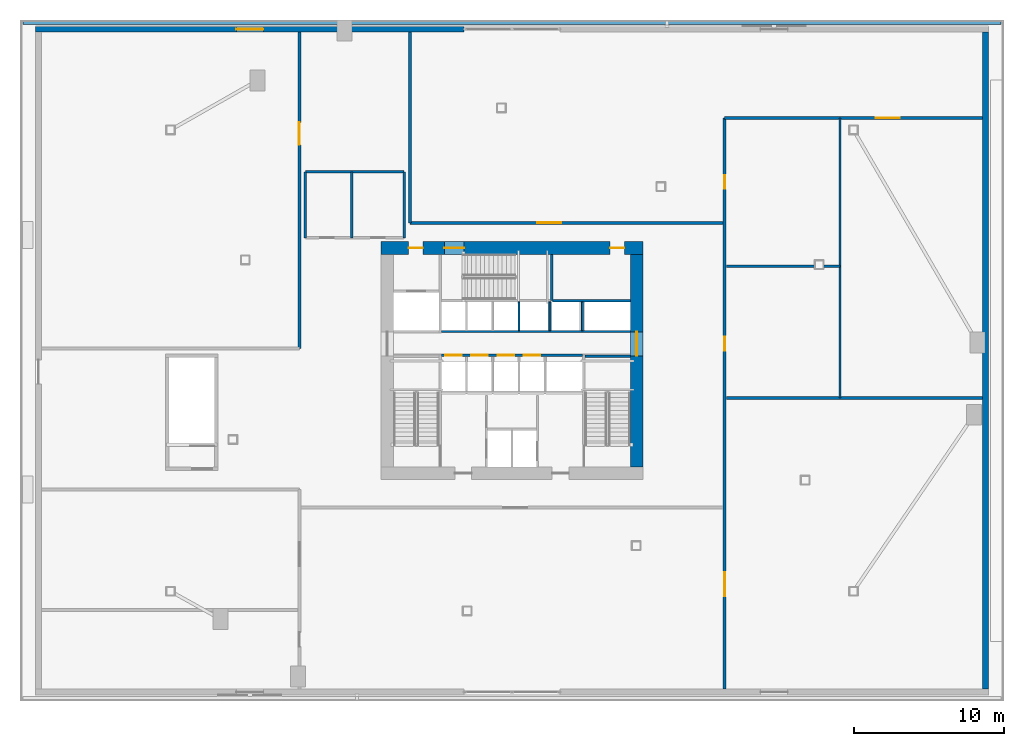
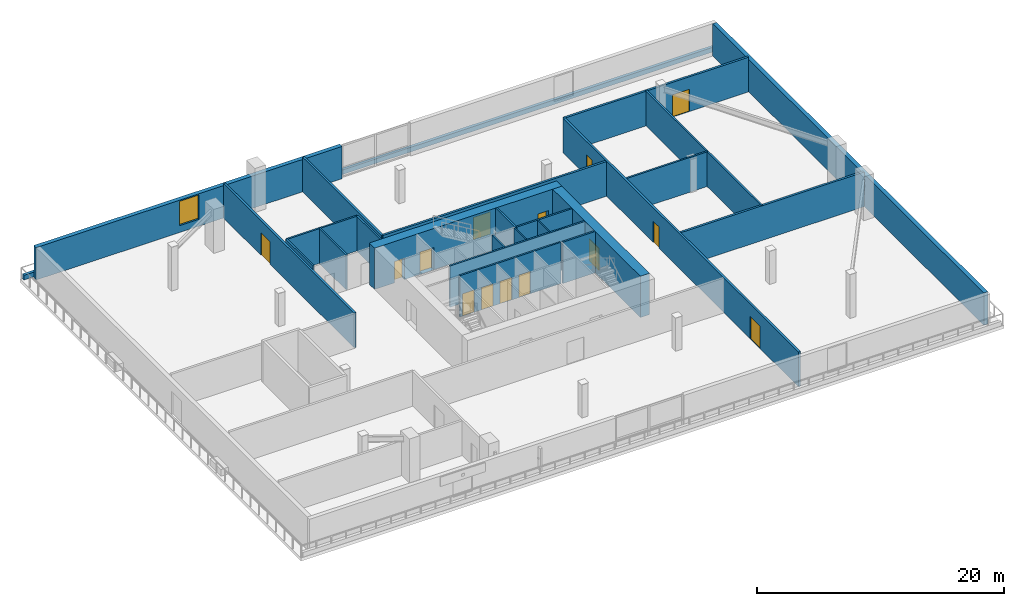
# One storey, part 9 of 16: 25 walls, 14 doors, 1 window, 15 openings.
"""IFC4 building model written with IfcOpenShell, lengths in metres."""

from ifc_helpers import new_model, si_unit, direction, frame, frame_2d, origin, place, context, subcontext, project, spatial, rectangle, extrude, source, transform, mapped, material, layer, layer_set, type_object, type_shapes, element, fill, save


model = new_model("IFC4")

# Units and contexts
model_context = context("Model", 3, precision=1e-05, world=origin(), true_north=direction((0.0, 1.0)))
body_context = subcontext(model_context, "Body", "Model", "MODEL_VIEW")
ifc_project = project(units=[si_unit("LENGTHUNIT", "METRE"), si_unit("AREAUNIT", "SQUARE_METRE"), si_unit("VOLUMEUNIT", "CUBIC_METRE"), si_unit("PLANEANGLEUNIT", "RADIAN"), si_unit("MASSUNIT", "GRAM", prefix="KILO")], contexts=[model_context])

# Site, building, storey
site_placement = place(None, origin())
site = spatial("IfcSite", under=ifc_project, at=site_placement, CompositionType="ELEMENT")
building_placement = place(site_placement, origin())
building = spatial("IfcBuilding", under=site, at=building_placement, Name="Olszyna Solenne Hotel", CompositionType="ELEMENT")
storey_placement = place(building_placement, frame((0.0, 0.0, 20.10009765625)))
storey = spatial("IfcBuildingStorey", under=building, at=storey_placement, Name="L04", CompositionType="ELEMENT", Elevation=20.10009765625)

# Wall, openings, doors
ifc_material_1 = material(Name="Concrete C60/75", Category="concrete")
ifc_layer_1 = layer(ifc_material_1, 0.85009765625, Name="Concrete C60/75")
ifc_layer_set_1 = layer_set([ifc_layer_1], Name="Concrete C60/75")
wall_type_1 = type_object("IfcWallType", Name="WL-CR850", PredefinedType="SHEAR", material=ifc_layer_set_1)
wall_1_placement = place(storey_placement, frame((29.25, 34.125, 0.0), z_axis=(0.0, 0.0, 1.0), x_axis=(1.0, 0.0, 0.0)))
wall_1 = element("IfcWall", 1, at=wall_1_placement, inside=storey, type_object=wall_type_1, Name="Core shear wall WL-CR850 CRW-L04-N", PredefinedType="SHEAR", context=body_context, shape_type="SweptSolid", body=[
    extrude(rectangle(XDim=17.5, YDim=0.85009765625, at=frame_2d((8.75, 0.0))), origin(), (0.0, 0.0, 1.0), 4.079833984375),
])
opening_1_placement = place(wall_1_placement, frame((1.85009765625, 0.0, 0.0)))
opening_1 = element("IfcOpeningElement", 2, at=opening_1_placement, cuts=wall_1, Name="Opening SVD-L04-01", PredefinedType="OPENING", context=body_context, shape_type="SweptSolid", body=[
    extrude(rectangle(XDim=0.949951171875, YDim=2.10009765625, at=frame_2d((0.47509765625, 1.050048828125))), frame((0.0, 0.43505859375, 0.0), z_axis=(0.0, -1.0, 0.0), x_axis=(1.0, 0.0, 0.0)), (0.0, 0.0, 1.0), 0.8701171875),
])
opening_2_placement = place(wall_1_placement, frame((4.22998046875, 0.0, 0.0)))
opening_2 = element("IfcOpeningElement", 3, at=opening_2_placement, cuts=wall_1, Name="Opening STD-L04-03", PredefinedType="OPENING", context=body_context, shape_type="SweptSolid", body=[
    extrude(rectangle(XDim=1.320068359375, YDim=2.199951171875, at=frame_2d((0.66015625, 1.10009765625))), frame((0.0, 0.43505859375, 0.0), z_axis=(0.0, -1.0, 0.0), x_axis=(1.0, 0.0, 0.0)), (0.0, 0.0, 1.0), 0.8701171875),
])
opening_3_placement = place(wall_1_placement, frame((15.300048828125, 0.0, 0.0)))
opening_3 = element("IfcOpeningElement", 4, at=opening_3_placement, cuts=wall_1, Name="Opening SVD-L04-BN", PredefinedType="OPENING", context=body_context, shape_type="SweptSolid", body=[
    extrude(rectangle(XDim=0.949951171875, YDim=2.10009765625, at=frame_2d((0.47509765625, 1.050048828125))), frame((0.0, 0.43505859375, 0.0), z_axis=(0.0, -1.0, 0.0), x_axis=(1.0, 0.0, 0.0)), (0.0, 0.0, 1.0), 0.8701171875),
])
ifc_material_2 = material(Name="Steel S355J2", Category="steel")
door_type_1 = type_object("IfcDoorType", Name="DR-ST1", OperationType="NOTDEFINED", PredefinedType="DOOR", material=ifc_material_2)
shared_shape_1 = source(origin(), body_context, "Body", "SweptSolid", [
    extrude(rectangle(XDim=1.320068359375, YDim=2.199951171875, at=frame_2d((0.66015625, 1.10009765625))), frame((0.0, 0.02490234375, 0.0), z_axis=(0.0, -1.0, 0.0), x_axis=(1.0, 0.0, 0.0)), (0.0, 0.0, 1.0), 0.050048828125),
])
type_shapes(door_type_1, [shared_shape_1])
door_1_placement = place(opening_2_placement, origin())
door_1 = element("IfcDoor", 5, at=door_1_placement, inside=storey, type_object=door_type_1, Name="Pressurised exit stair ST3 fire door STD-L04-03", OperationType="SINGLE_SWING_RIGHT", OverallHeight=2.199951171875, OverallWidth=1.320068359375, PredefinedType="DOOR", context=body_context, shape_type="MappedRepresentation", body=[
    mapped(shared_shape_1, transform((0.0, 0.0, 0.0), x_axis=(1.0, 0.0, 0.0), y_axis=(0.0, 1.0, 0.0), z_axis=(0.0, 0.0, 1.0), scale=1.0)),
])
fill(opening_2, door_1)
door_type_2 = type_object("IfcDoorType", Name="DR-SV1", OperationType="NOTDEFINED", PredefinedType="DOOR", material=ifc_material_2)
shared_shape_2 = source(origin(), body_context, "Body", "SweptSolid", [
    extrude(rectangle(XDim=0.949951171875, YDim=2.10009765625, at=frame_2d((0.47509765625, 1.050048828125))), frame((0.0, 0.02490234375, 0.0), z_axis=(0.0, -1.0, 0.0), x_axis=(1.0, 0.0, 0.0)), (0.0, 0.0, 1.0), 0.050048828125),
])
type_shapes(door_type_2, [shared_shape_2])
door_2_placement = place(opening_1_placement, origin())
door_2 = element("IfcDoor", 6, at=door_2_placement, inside=storey, type_object=door_type_2, Name="Service lift lobby fire door SVD-L04-01", OperationType="SINGLE_SWING_LEFT", OverallHeight=2.10009765625, OverallWidth=0.949951171875, PredefinedType="DOOR", context=body_context, shape_type="MappedRepresentation", body=[
    mapped(shared_shape_2, transform((0.0, 0.0, 0.0), x_axis=(1.0, 0.0, 0.0), y_axis=(0.0, 1.0, 0.0), z_axis=(0.0, 0.0, 1.0), scale=1.0)),
])
fill(opening_1, door_2)
door_3_placement = place(opening_3_placement, origin())
door_3 = element("IfcDoor", 7, at=door_3_placement, inside=storey, type_object=door_type_2, Name="Housekeeping core fire door SVD-L04-BN", OperationType="SINGLE_SWING_LEFT", OverallHeight=2.10009765625, OverallWidth=0.949951171875, PredefinedType="DOOR", context=body_context, shape_type="MappedRepresentation", body=[
    mapped(shared_shape_2, transform((0.0, 0.0, 0.0), x_axis=(1.0, 0.0, 0.0), y_axis=(0.0, 1.0, 0.0), z_axis=(0.0, 0.0, 1.0), scale=1.0)),
])
fill(opening_3, door_3)

# Wall, opening, door
wall_2_placement = place(storey_placement, frame((46.324951171875, 33.699951171875, 0.0), z_axis=(0.0, 0.0, 1.0), x_axis=(0.0, -1.0, 0.0)))
wall_2 = element("IfcWall", 8, at=wall_2_placement, inside=storey, type_object=wall_type_1, Name="Core shear wall WL-CR850 CRW-L04-E", PredefinedType="SHEAR", context=body_context, shape_type="SweptSolid", body=[
    extrude(rectangle(XDim=14.199951171875, YDim=0.85009765625, at=frame_2d((7.10009765625, 0.0))), origin(), (0.0, 0.0, 1.0), 4.079833984375),
])
opening_4_placement = place(wall_2_placement, frame((5.179931640625, 0.0, 0.0)))
opening_4 = element("IfcOpeningElement", 9, at=opening_4_placement, cuts=wall_2, Name="Opening LHD-L04-E", PredefinedType="OPENING", context=body_context, shape_type="SweptSolid", body=[
    extrude(rectangle(XDim=1.60009765625, YDim=2.199951171875, at=frame_2d((0.800048828125, 1.10009765625))), frame((0.0, 0.43505859375, 0.0), z_axis=(0.0, -1.0, 0.0), x_axis=(1.0, 0.0, 0.0)), (0.0, 0.0, 1.0), 0.8701171875),
])
ifc_material_3 = material(Name="Timber hardwood", Category="wood")
door_type_3 = type_object("IfcDoorType", Name="DR-CR1", OperationType="DOUBLE_DOOR_SINGLE_SWING", PredefinedType="DOOR", material=ifc_material_3)
shared_shape_3 = source(origin(), body_context, "Body", "SweptSolid", [
    extrude(rectangle(XDim=1.60009765625, YDim=2.199951171875, at=frame_2d((0.800048828125, 1.10009765625))), frame((0.0, 0.02490234375, 0.0), z_axis=(0.0, -1.0, 0.0), x_axis=(1.0, 0.0, 0.0)), (0.0, 0.0, 1.0), 0.050048828125),
])
type_shapes(door_type_3, [shared_shape_3])
door_4_placement = place(opening_4_placement, origin())
door_4 = element("IfcDoor", 10, at=door_4_placement, inside=storey, type_object=door_type_3, Name="Passenger lift lobby East fire door LHD-L04-E", OperationType="DOUBLE_DOOR_SINGLE_SWING", OverallHeight=2.199951171875, OverallWidth=1.60009765625, PredefinedType="DOOR", context=body_context, shape_type="MappedRepresentation", body=[
    mapped(shared_shape_3, transform((0.0, 0.0, 0.0), x_axis=(1.0, 0.0, 0.0), y_axis=(0.0, 1.0, 0.0), z_axis=(0.0, 0.0, 1.0), scale=1.0)),
])
fill(opening_4, door_4)

# Wall, opening, window
ifc_material_4 = material(Name="Terracotta cladding on precast concrete C45/55", Category="masonry")
ifc_layer_2 = layer(ifc_material_4, 0.3798828125, Name="Terracotta cladding on precast concrete C45/55")
ifc_layer_set_2 = layer_set([ifc_layer_2], Name="Terracotta cladding on precast concrete C45/55")
wall_type_2 = type_object("IfcWallType", Name="WL-EX380", PredefinedType="SOLIDWALL", material=ifc_layer_set_2)
wall_3_placement = place(storey_placement, frame((6.199951171875, 48.72998046875, 0.0), z_axis=(0.0, 0.0, 1.0), x_axis=(1.0, 0.0, 0.0)))
wall_3 = element("IfcWall", 11, at=wall_3_placement, inside=storey, type_object=wall_type_2, Name="Podium terracotta-precast exterior wall EW-L04-NW", PredefinedType="SOLIDWALL", context=body_context, shape_type="SweptSolid", body=[
    extrude(rectangle(XDim=28.60009765625, YDim=0.3798828125, at=frame_2d((14.300048828125, 0.0))), origin(), (0.0, 0.0, 1.0), 3.199951171875),
])
opening_5_placement = place(wall_3_placement, frame((13.39990234375, 0.0, 0.679931640625)))
opening_5 = element("IfcOpeningElement", 12, at=opening_5_placement, cuts=wall_3, Name="Opening WN-L04-019", PredefinedType="OPENING", context=body_context, shape_type="SweptSolid", body=[
    extrude(rectangle(XDim=1.800048828125, YDim=2.39990234375, at=frame_2d((0.89990234375, 1.199951171875))), frame((0.0, 0.199951171875, 0.0), z_axis=(0.0, -1.0, 0.0), x_axis=(1.0, 0.0, 0.0)), (0.0, 0.0, 1.0), 0.39990234375),
])
ifc_material_5 = material(Name="Low-E triple glazing", Category="glass")
window_type = type_object("IfcWindowType", Name="WN-PD2", PartitioningType="SINGLE_PANEL", PredefinedType="WINDOW", material=ifc_material_5)
shared_shape_4 = source(origin(), body_context, "Body", "SweptSolid", [
    extrude(rectangle(XDim=1.800048828125, YDim=2.39990234375, at=frame_2d((0.89990234375, 1.199951171875))), frame((0.0, 0.030029296875, 0.0), z_axis=(0.0, -1.0, 0.0), x_axis=(1.0, 0.0, 0.0)), (0.0, 0.0, 1.0), 0.06005859375),
])
type_shapes(window_type, [shared_shape_4])
window_placement = place(opening_5_placement, origin())
window = element("IfcWindow", 13, at=window_placement, inside=storey, type_object=window_type, Name="Podium triple-glazed window WN-PD2 WN-L04-019", OverallHeight=2.39990234375, OverallWidth=1.800048828125, PartitioningType="SINGLE_PANEL", PredefinedType="WINDOW", context=body_context, shape_type="MappedRepresentation", body=[
    mapped(shared_shape_4, transform((0.0, 0.0, 0.0), x_axis=(1.0, 0.0, 0.0), y_axis=(0.0, 1.0, 0.0), z_axis=(0.0, 0.0, 1.0), scale=1.0)),
])
fill(opening_5, window)

# Walls
wall_4_placement = place(storey_placement, frame((69.610107421875, 48.5400390625, 0.0), z_axis=(0.0, 0.0, 1.0), x_axis=(0.0, -1.0, 0.0)))
element("IfcWall", 14, at=wall_4_placement, inside=storey, type_object=wall_type_2, Name="Podium terracotta-precast exterior wall EW-L04-E", PredefinedType="SOLIDWALL", context=body_context, shape_type="SweptSolid", body=[
    extrude(rectangle(XDim=43.880126953125, YDim=0.3798828125, at=frame_2d((21.93994140625, 0.0))), origin(), (0.0, 0.0, 1.0), 3.199951171875),
])
ifc_layer_3 = layer(ifc_material_4, 0.280029296875, Name="Terracotta cladding on precast concrete C45/55")
ifc_layer_set_3 = layer_set([ifc_layer_3], Name="Terracotta cladding on precast concrete C45/55")
wall_type_3 = type_object("IfcWallType", Name="WL-PR280", PredefinedType="PARAPET", material=ifc_layer_set_3)
wall_5_placement = place(storey_placement, frame((5.35009765625, 49.179931640625, 0.0), z_axis=(0.0, 0.0, 1.0), x_axis=(1.0, 0.0, 0.0)))
element("IfcWall", 15, at=wall_5_placement, inside=storey, type_object=wall_type_3, Name="Garden terrace parapet upstand PR-L04-N", PredefinedType="PARAPET", context=body_context, shape_type="SweptSolid", body=[
    extrude(rectangle(XDim=65.2998046875, YDim=0.280029296875, at=frame_2d((32.64990234375, 0.0))), origin(), (0.0, 0.0, 1.0), 0.449951171875),
])
ifc_material_6 = material(Name="Acoustic gypsum partition", Category="gypsum")
ifc_layer_4 = layer(ifc_material_6, 0.125, Name="Acoustic gypsum partition")
ifc_layer_set_4 = layer_set([ifc_layer_4], Name="Acoustic gypsum partition")
wall_type_4 = type_object("IfcWallType", Name="WL-PT125", PredefinedType="PARTITIONING", material=ifc_layer_set_4)
for number, where, z_axis, x_axis, name in (
    (16, (38.465087890625, 28.60009765625, 0.0), (0.0, 0.0, 1.0), (0.0, 1.0, 0.0), "Core shaft compartment wall CW-L04-DIVN384"),
    (17, (40.52490234375, 28.60009765625, 0.0), (0.0, 0.0, 1.0), (0.0, 1.0, 0.0), "Core shaft compartment wall CW-L04-DIVEX405"),
    (18, (42.699951171875, 28.60009765625, 0.0), (0.0, 0.0, 1.0), (0.0, 1.0, 0.0), "Core shaft compartment wall CW-L04-DIVEX427"),
):
    element("IfcWall", number, at=place(storey_placement, frame(where, z_axis=z_axis, x_axis=x_axis)), inside=storey, type_object=wall_type_4, Name=name, PredefinedType="PARTITIONING", context=body_context, shape_type="SweptSolid", body=[
        extrude(rectangle(XDim=1.919921875, YDim=0.125, at=frame_2d((0.9599609375, 0.0))), origin(), (0.0, 0.0, 1.0), 4.079833984375),
    ])
ifc_layer_5 = layer(ifc_material_6, 0.159912109375, Name="Acoustic gypsum partition")
ifc_layer_set_5 = layer_set([ifc_layer_5], Name="Acoustic gypsum partition")
wall_type_5 = type_object("IfcWallType", Name="WL-PT160", PredefinedType="PARTITIONING", material=ifc_layer_set_5)
wall_6_placement = place(storey_placement, frame((42.8798828125, 26.8798828125, 0.0), z_axis=(0.0, 0.0, 1.0), x_axis=(1.0, 0.0, 0.0)))
element("IfcWall", 19, at=wall_6_placement, inside=storey, type_object=wall_type_5, Name="Core shaft compartment wall CW-L04-ST2N", PredefinedType="PARTITIONING", context=body_context, shape_type="SweptSolid", body=[
    extrude(rectangle(XDim=3.02001953125, YDim=0.159912109375, at=frame_2d((1.510009765625, 0.0))), origin(), (0.0, 0.0, 1.0), 4.079833984375),
])
wall_7_placement = place(storey_placement, frame((40.659912109375, 30.60009765625, 0.0), z_axis=(0.0, 0.0, 1.0), x_axis=(0.0, 1.0, 0.0)))
element("IfcWall", 20, at=wall_7_placement, inside=storey, type_object=wall_type_5, Name="Core shaft compartment wall CW-L04-ST3E", PredefinedType="PARTITIONING", context=body_context, shape_type="SweptSolid", body=[
    extrude(rectangle(XDim=3.099853515625, YDim=0.159912109375, at=frame_2d((1.5498046875, 0.0))), origin(), (0.0, 0.0, 1.0), 4.079833984375),
])

# Wall, openings, doors
wall_8_placement = place(storey_placement, frame((33.280029296875, 26.949951171875, 0.0), z_axis=(0.0, 0.0, 1.0), x_axis=(1.0, 0.0, 0.0)))
wall_8 = element("IfcWall", 21, at=wall_8_placement, inside=storey, type_object=wall_type_5, Name="Core shaft compartment wall CW-L04-LRS", PredefinedType="PARTITIONING", context=body_context, shape_type="SweptSolid", body=[
    extrude(rectangle(XDim=9.43994140625, YDim=0.159912109375, at=frame_2d((4.719970703125, 0.0))), origin(), (0.0, 0.0, 1.0), 4.079833984375),
])
opening_6_placement = place(wall_8_placement, frame((0.260009765625, 0.0, 0.0)))
opening_6 = element("IfcOpeningElement", 22, at=opening_6_placement, cuts=wall_8, Name="Opening LD-L04-PL1", PredefinedType="OPENING", context=body_context, shape_type="SweptSolid", body=[
    extrude(rectangle(XDim=1.10009765625, YDim=2.199951171875, at=frame_2d((0.550048828125, 1.10009765625))), frame((0.0, 0.08984375, 0.0), z_axis=(0.0, -1.0, 0.0), x_axis=(1.0, 0.0, 0.0)), (0.0, 0.0, 1.0), 0.179931640625),
])
opening_7_placement = place(wall_8_placement, frame((2.010009765625, 0.0, 0.0)))
opening_7 = element("IfcOpeningElement", 23, at=opening_7_placement, cuts=wall_8, Name="Opening LD-L04-PL2", PredefinedType="OPENING", context=body_context, shape_type="SweptSolid", body=[
    extrude(rectangle(XDim=1.10009765625, YDim=2.199951171875, at=frame_2d((0.550048828125, 1.10009765625))), frame((0.0, 0.08984375, 0.0), z_axis=(0.0, -1.0, 0.0), x_axis=(1.0, 0.0, 0.0)), (0.0, 0.0, 1.0), 0.179931640625),
])
opening_8_placement = place(wall_8_placement, frame((3.760009765625, 0.0, 0.0)))
opening_8 = element("IfcOpeningElement", 24, at=opening_8_placement, cuts=wall_8, Name="Opening LD-L04-PL3", PredefinedType="OPENING", context=body_context, shape_type="SweptSolid", body=[
    extrude(rectangle(XDim=1.10009765625, YDim=2.199951171875, at=frame_2d((0.550048828125, 1.10009765625))), frame((0.0, 0.08984375, 0.0), z_axis=(0.0, -1.0, 0.0), x_axis=(1.0, 0.0, 0.0)), (0.0, 0.0, 1.0), 0.179931640625),
])
opening_9_placement = place(wall_8_placement, frame((5.510009765625, 0.0, 0.0)))
opening_9 = element("IfcOpeningElement", 25, at=opening_9_placement, cuts=wall_8, Name="Opening LD-L04-PL4", PredefinedType="OPENING", context=body_context, shape_type="SweptSolid", body=[
    extrude(rectangle(XDim=1.10009765625, YDim=2.199951171875, at=frame_2d((0.550048828125, 1.10009765625))), frame((0.0, 0.08984375, 0.0), z_axis=(0.0, -1.0, 0.0), x_axis=(1.0, 0.0, 0.0)), (0.0, 0.0, 1.0), 0.179931640625),
])
door_type_4 = type_object("IfcDoorType", Name="LD-P1", OperationType="DOUBLE_DOOR_SLIDING", PredefinedType="DOOR", material=ifc_material_2)
shared_shape_5 = source(origin(), body_context, "Body", "SweptSolid", [
    extrude(rectangle(XDim=1.10009765625, YDim=2.199951171875, at=frame_2d((0.550048828125, 1.10009765625))), frame((0.0, 0.02490234375, 0.0), z_axis=(0.0, -1.0, 0.0), x_axis=(1.0, 0.0, 0.0)), (0.0, 0.0, 1.0), 0.050048828125),
])
type_shapes(door_type_4, [shared_shape_5])
door_5_placement = place(opening_6_placement, origin())
door_5 = element("IfcDoor", 26, at=door_5_placement, inside=storey, type_object=door_type_4, Name="Passenger lift PL1 sliding landing door LD-L04-PL1", OperationType="DOUBLE_DOOR_SLIDING", OverallHeight=2.199951171875, OverallWidth=1.10009765625, PredefinedType="DOOR", context=body_context, shape_type="MappedRepresentation", body=[
    mapped(shared_shape_5, transform((0.0, 0.0, 0.0), x_axis=(1.0, 0.0, 0.0), y_axis=(0.0, 1.0, 0.0), z_axis=(0.0, 0.0, 1.0), scale=1.0)),
])
fill(opening_6, door_5)
door_6_placement = place(opening_7_placement, origin())
door_6 = element("IfcDoor", 27, at=door_6_placement, inside=storey, type_object=door_type_4, Name="Passenger lift PL2 sliding landing door LD-L04-PL2", OperationType="DOUBLE_DOOR_SLIDING", OverallHeight=2.199951171875, OverallWidth=1.10009765625, PredefinedType="DOOR", context=body_context, shape_type="MappedRepresentation", body=[
    mapped(shared_shape_5, transform((0.0, 0.0, 0.0), x_axis=(1.0, 0.0, 0.0), y_axis=(0.0, 1.0, 0.0), z_axis=(0.0, 0.0, 1.0), scale=1.0)),
])
fill(opening_7, door_6)
door_7_placement = place(opening_8_placement, origin())
door_7 = element("IfcDoor", 28, at=door_7_placement, inside=storey, type_object=door_type_4, Name="Passenger lift PL3 sliding landing door LD-L04-PL3", OperationType="DOUBLE_DOOR_SLIDING", OverallHeight=2.199951171875, OverallWidth=1.10009765625, PredefinedType="DOOR", context=body_context, shape_type="MappedRepresentation", body=[
    mapped(shared_shape_5, transform((0.0, 0.0, 0.0), x_axis=(1.0, 0.0, 0.0), y_axis=(0.0, 1.0, 0.0), z_axis=(0.0, 0.0, 1.0), scale=1.0)),
])
fill(opening_8, door_7)
door_8_placement = place(opening_9_placement, origin())
door_8 = element("IfcDoor", 29, at=door_8_placement, inside=storey, type_object=door_type_4, Name="Passenger lift PL4 sliding landing door LD-L04-PL4", OperationType="DOUBLE_DOOR_SLIDING", OverallHeight=2.199951171875, OverallWidth=1.10009765625, PredefinedType="DOOR", context=body_context, shape_type="MappedRepresentation", body=[
    mapped(shared_shape_5, transform((0.0, 0.0, 0.0), x_axis=(1.0, 0.0, 0.0), y_axis=(0.0, 1.0, 0.0), z_axis=(0.0, 0.0, 1.0), scale=1.0)),
])
fill(opening_9, door_8)

# Walls
wall_9_placement = place(storey_placement, frame((33.280029296875, 28.5400390625, 0.0), z_axis=(0.0, 0.0, 1.0), x_axis=(1.0, 0.0, 0.0)))
element("IfcWall", 30, at=wall_9_placement, inside=storey, type_object=wall_type_5, Name="Core shaft compartment wall CW-L04-LRN", PredefinedType="PARTITIONING", context=body_context, shape_type="SweptSolid", body=[
    extrude(rectangle(XDim=12.619873046875, YDim=0.159912109375, at=frame_2d((6.31005859375, 0.0))), origin(), (0.0, 0.0, 1.0), 4.079833984375),
])
wall_10_placement = place(storey_placement, frame((40.719970703125, 30.60009765625, 0.0), z_axis=(0.0, 0.0, 1.0), x_axis=(1.0, 0.0, 0.0)))
element("IfcWall", 31, at=wall_10_placement, inside=storey, type_object=wall_type_5, Name="Core shaft compartment wall CW-L04-LRNTOP", PredefinedType="PARTITIONING", context=body_context, shape_type="SweptSolid", body=[
    extrude(rectangle(XDim=5.179931640625, YDim=0.159912109375, at=frame_2d((2.58984375, 0.0))), origin(), (0.0, 0.0, 1.0), 4.079833984375),
])
wall_11_placement = place(storey_placement, frame((24.199951171875, 39.199951171875, 0.0), z_axis=(0.0, 0.0, 1.0), x_axis=(1.0, 0.0, 0.0)))
element("IfcWall", 32, at=wall_11_placement, inside=storey, type_object=wall_type_5, Name="Interior acoustic partition WL-PT160 PW-L04-0282", PredefinedType="PARTITIONING", context=body_context, shape_type="SweptSolid", body=[
    extrude(rectangle(XDim=6.60009765625, YDim=0.159912109375, at=frame_2d((3.300048828125, 0.0))), origin(), (0.0, 0.0, 1.0), 3.429931640625),
])
for number, where, z_axis, x_axis, name in (
    (33, (24.199951171875, 34.800048828125, 0.0), (0.0, 0.0, 1.0), (0.0, 1.0, 0.0), "Interior acoustic partition WL-PT160 PW-L04-0283"),
    (34, (27.300048828125, 34.800048828125, 0.0), (0.0, 0.0, 1.0), (0.0, 1.0, 0.0), "Interior acoustic partition WL-PT160 PW-L04-0284"),
    (35, (30.800048828125, 34.800048828125, 0.0), (0.0, 0.0, 1.0), (0.0, 1.0, 0.0), "Interior acoustic partition WL-PT160 PW-L04-0285"),
):
    element("IfcWall", number, at=place(storey_placement, frame(where, z_axis=z_axis, x_axis=x_axis)), inside=storey, type_object=wall_type_5, Name=name, PredefinedType="PARTITIONING", context=body_context, shape_type="SweptSolid", body=[
        extrude(rectangle(XDim=4.39990234375, YDim=0.159912109375, at=frame_2d((2.199951171875, 0.0))), origin(), (0.0, 0.0, 1.0), 3.429931640625),
    ])
wall_12_placement = place(storey_placement, frame((59.89990234375, 24.10009765625, 0.0), z_axis=(0.0, 0.0, 1.0), x_axis=(0.0, 1.0, 0.0)))
element("IfcWall", 36, at=wall_12_placement, inside=storey, type_object=wall_type_5, Name="Interior acoustic partition WL-PT160 PW-L04-0286", PredefinedType="PARTITIONING", context=body_context, shape_type="SweptSolid", body=[
    extrude(rectangle(XDim=18.699951171875, YDim=0.159912109375, at=frame_2d((9.35009765625, 0.0))), origin(), (0.0, 0.0, 1.0), 3.429931640625),
])
wall_13_placement = place(storey_placement, frame((52.320068359375, 32.89990234375, 0.0), z_axis=(0.0, 0.0, 1.0), x_axis=(1.0, 0.0, 0.0)))
element("IfcWall", 37, at=wall_13_placement, inside=storey, type_object=wall_type_5, Name="Interior acoustic partition WL-PT160 PW-L04-0287", PredefinedType="PARTITIONING", context=body_context, shape_type="SweptSolid", body=[
    extrude(rectangle(XDim=7.579833984375, YDim=0.159912109375, at=frame_2d((3.7900390625, 0.0))), origin(), (0.0, 0.0, 1.0), 3.429931640625),
])

# Wall, opening, door
ifc_layer_6 = layer(ifc_material_6, 0.199951171875, Name="Acoustic gypsum partition")
ifc_layer_set_6 = layer_set([ifc_layer_6], Name="Acoustic gypsum partition")
wall_type_6 = type_object("IfcWallType", Name="WL-PT200", PredefinedType="PARTITIONING", material=ifc_layer_set_6)
wall_14_placement = place(storey_placement, frame((23.800048828125, 27.39990234375, 0.0), z_axis=(0.0, 0.0, 1.0), x_axis=(0.0, 1.0, 0.0)))
wall_14 = element("IfcWall", 38, at=wall_14_placement, inside=storey, type_object=wall_type_6, Name="Interior acoustic partition WL-PT200 PW-L04-0275", PredefinedType="PARTITIONING", context=body_context, shape_type="SweptSolid", body=[
    extrude(rectangle(XDim=21.14013671875, YDim=0.199951171875, at=frame_2d((10.570068359375, 0.0))), origin(), (0.0, 0.0, 1.0), 3.429931640625),
])
opening_10_placement = place(wall_14_placement, frame((13.60009765625, 0.0, 0.0)))
opening_10 = element("IfcOpeningElement", 39, at=opening_10_placement, cuts=wall_14, Name="Opening DR-L04-0057", PredefinedType="OPENING", context=body_context, shape_type="SweptSolid", body=[
    extrude(rectangle(XDim=1.5, YDim=2.25, at=frame_2d((0.75, 1.125))), frame((0.0, 0.10986328125, 0.0), z_axis=(0.0, -1.0, 0.0), x_axis=(1.0, 0.0, 0.0)), (0.0, 0.0, 1.0), 0.219970703125),
])
door_type_5 = type_object("IfcDoorType", Name="DR-PL1", OperationType="DOUBLE_DOOR_SINGLE_SWING", PredefinedType="DOOR", material=ifc_material_2)
shared_shape_6 = source(origin(), body_context, "Body", "SweptSolid", [
    extrude(rectangle(XDim=1.5, YDim=2.25, at=frame_2d((0.75, 1.125))), frame((0.0, 0.02490234375, 0.0), z_axis=(0.0, -1.0, 0.0), x_axis=(1.0, 0.0, 0.0)), (0.0, 0.0, 1.0), 0.050048828125),
])
type_shapes(door_type_5, [shared_shape_6])
door_9_placement = place(opening_10_placement, origin())
door_9 = element("IfcDoor", 40, at=door_9_placement, inside=storey, type_object=door_type_5, Name="Kitchen Double Door DR-L04-0057", OperationType="DOUBLE_DOOR_SINGLE_SWING", OverallHeight=2.25, OverallWidth=1.5, PredefinedType="DOOR", context=body_context, shape_type="MappedRepresentation", body=[
    mapped(shared_shape_6, transform((0.0, 0.0, 0.0), x_axis=(1.0, 0.0, 0.0), y_axis=(0.0, 1.0, 0.0), z_axis=(0.0, 0.0, 1.0), scale=1.0)),
])
fill(opening_10, door_9)

# Wall, openings, doors
wall_15_placement = place(storey_placement, frame((52.199951171875, 4.659912109375, 0.0), z_axis=(0.0, 0.0, 1.0), x_axis=(0.0, 1.0, 0.0)))
wall_15 = element("IfcWall", 41, at=wall_15_placement, inside=storey, type_object=wall_type_6, Name="Interior acoustic partition WL-PT200 PW-L04-0278", PredefinedType="PARTITIONING", context=body_context, shape_type="SweptSolid", body=[
    extrude(rectangle(XDim=38.14013671875, YDim=0.199951171875, at=frame_2d((19.070068359375, 0.0))), origin(), (0.0, 0.0, 1.0), 3.429931640625),
])
opening_11_placement = place(wall_15_placement, frame((6.199951171875, 0.0, 0.0)))
opening_11 = element("IfcOpeningElement", 42, at=opening_11_placement, cuts=wall_15, Name="Opening DR-L04-0059", PredefinedType="OPENING", context=body_context, shape_type="SweptSolid", body=[
    extrude(rectangle(XDim=1.60009765625, YDim=2.199951171875, at=frame_2d((0.800048828125, 1.10009765625))), frame((0.0, 0.10986328125, 0.0), z_axis=(0.0, -1.0, 0.0), x_axis=(1.0, 0.0, 0.0)), (0.0, 0.0, 1.0), 0.219970703125),
])
opening_12_placement = place(wall_15_placement, frame((22.60009765625, 0.0, 0.0)))
opening_12 = element("IfcOpeningElement", 43, at=opening_12_placement, cuts=wall_15, Name="Opening DR-L04-0060", PredefinedType="OPENING", context=body_context, shape_type="SweptSolid", body=[
    extrude(rectangle(XDim=0.919921875, YDim=2.10009765625, at=frame_2d((0.4599609375, 1.050048828125))), frame((0.0, 0.10986328125, 0.0), z_axis=(0.0, -1.0, 0.0), x_axis=(1.0, 0.0, 0.0)), (0.0, 0.0, 1.0), 0.219970703125),
])
opening_13_placement = place(wall_15_placement, frame((33.39990234375, 0.0, 0.0)))
opening_13 = element("IfcOpeningElement", 44, at=opening_13_placement, cuts=wall_15, Name="Opening DR-L04-0061", PredefinedType="OPENING", context=body_context, shape_type="SweptSolid", body=[
    extrude(rectangle(XDim=0.919921875, YDim=2.10009765625, at=frame_2d((0.4599609375, 1.050048828125))), frame((0.0, 0.10986328125, 0.0), z_axis=(0.0, -1.0, 0.0), x_axis=(1.0, 0.0, 0.0)), (0.0, 0.0, 1.0), 0.219970703125),
])
door_10_placement = place(opening_11_placement, origin())
door_10 = element("IfcDoor", 45, at=door_10_placement, inside=storey, type_object=door_type_3, Name="Fitness Studio Entrance DR-L04-0059", OperationType="DOUBLE_DOOR_SINGLE_SWING", OverallHeight=2.199951171875, OverallWidth=1.60009765625, PredefinedType="DOOR", context=body_context, shape_type="MappedRepresentation", body=[
    mapped(shared_shape_3, transform((0.0, 0.0, 0.0), x_axis=(1.0, 0.0, 0.0), y_axis=(0.0, 1.0, 0.0), z_axis=(0.0, 0.0, 1.0), scale=1.0)),
])
fill(opening_11, door_10)
door_type_6 = type_object("IfcDoorType", Name="DR-IN1", OperationType="NOTDEFINED", PredefinedType="DOOR", material=ifc_material_3)
shared_shape_7 = source(origin(), body_context, "Body", "SweptSolid", [
    extrude(rectangle(XDim=0.919921875, YDim=2.10009765625, at=frame_2d((0.4599609375, 1.050048828125))), frame((0.0, 0.02490234375, 0.0), z_axis=(0.0, -1.0, 0.0), x_axis=(1.0, 0.0, 0.0)), (0.0, 0.0, 1.0), 0.050048828125),
])
type_shapes(door_type_6, [shared_shape_7])
door_11_placement = place(opening_12_placement, origin())
door_11 = element("IfcDoor", 46, at=door_11_placement, inside=storey, type_object=door_type_6, Name="Holistic Treatment Room Door DR-L04-0060", OperationType="SINGLE_SWING_LEFT", OverallHeight=2.10009765625, OverallWidth=0.919921875, PredefinedType="DOOR", context=body_context, shape_type="MappedRepresentation", body=[
    mapped(shared_shape_7, transform((0.0, 0.0, 0.0), x_axis=(1.0, 0.0, 0.0), y_axis=(0.0, 1.0, 0.0), z_axis=(0.0, 0.0, 1.0), scale=1.0)),
])
fill(opening_12, door_11)
door_12_placement = place(opening_13_placement, origin())
door_12 = element("IfcDoor", 47, at=door_12_placement, inside=storey, type_object=door_type_6, Name="Ayurvedic Treatment Room Door DR-L04-0061", OperationType="SINGLE_SWING_RIGHT", OverallHeight=2.10009765625, OverallWidth=0.919921875, PredefinedType="DOOR", context=body_context, shape_type="MappedRepresentation", body=[
    mapped(shared_shape_7, transform((0.0, 0.0, 0.0), x_axis=(1.0, 0.0, 0.0), y_axis=(0.0, 1.0, 0.0), z_axis=(0.0, 0.0, 1.0), scale=1.0)),
])
fill(opening_13, door_12)

# Wall
wall_16_placement = place(storey_placement, frame((52.320068359375, 24.10009765625, 0.0), z_axis=(0.0, 0.0, 1.0), x_axis=(1.0, 0.0, 0.0)))
element("IfcWall", 48, at=wall_16_placement, inside=storey, type_object=wall_type_6, Name="Interior acoustic partition WL-PT200 PW-L04-0279", PredefinedType="PARTITIONING", context=body_context, shape_type="SweptSolid", body=[
    extrude(rectangle(XDim=17.099853515625, YDim=0.199951171875, at=frame_2d((8.5498046875, 0.0))), origin(), (0.0, 0.0, 1.0), 3.429931640625),
])

# Wall, opening, door
wall_17_placement = place(storey_placement, frame((52.199951171875, 42.800048828125, 0.0), z_axis=(0.0, 0.0, 1.0), x_axis=(1.0, 0.0, 0.0)))
wall_17 = element("IfcWall", 49, at=wall_17_placement, inside=storey, type_object=wall_type_6, Name="Interior acoustic partition WL-PT200 PW-L04-0280", PredefinedType="PARTITIONING", context=body_context, shape_type="SweptSolid", body=[
    extrude(rectangle(XDim=17.219970703125, YDim=0.199951171875, at=frame_2d((8.60986328125, 0.0))), origin(), (0.0, 0.0, 1.0), 3.429931640625),
])
opening_14_placement = place(wall_17_placement, frame((10.10009765625, 0.0, 0.0)))
opening_14 = element("IfcOpeningElement", 50, at=opening_14_placement, cuts=wall_17, Name="Opening DR-L04-0062", PredefinedType="OPENING", context=body_context, shape_type="SweptSolid", body=[
    extrude(rectangle(XDim=1.60009765625, YDim=2.199951171875, at=frame_2d((0.800048828125, 1.10009765625))), frame((0.0, 0.10986328125, 0.0), z_axis=(0.0, -1.0, 0.0), x_axis=(1.0, 0.0, 0.0)), (0.0, 0.0, 1.0), 0.219970703125),
])
door_13_placement = place(opening_14_placement, origin())
door_13 = element("IfcDoor", 51, at=door_13_placement, inside=storey, type_object=door_type_3, Name="Thermal Hydrotherapy Lounge Door DR-L04-0062", OperationType="DOUBLE_DOOR_SINGLE_SWING", OverallHeight=2.199951171875, OverallWidth=1.60009765625, PredefinedType="DOOR", context=body_context, shape_type="MappedRepresentation", body=[
    mapped(shared_shape_3, transform((0.0, 0.0, 0.0), x_axis=(1.0, 0.0, 0.0), y_axis=(0.0, 1.0, 0.0), z_axis=(0.0, 0.0, 1.0), scale=1.0)),
])
fill(opening_14, door_13)

wall_18_placement = place(storey_placement, frame((31.199951171875, 35.800048828125, 0.0), z_axis=(0.0, 0.0, 1.0), x_axis=(1.0, 0.0, 0.0)))
wall_18 = element("IfcWall", 52, at=wall_18_placement, inside=storey, type_object=wall_type_6, Name="Interior acoustic partition WL-PT200 PW-L04-0288", PredefinedType="PARTITIONING", context=body_context, shape_type="SweptSolid", body=[
    extrude(rectangle(XDim=20.880126953125, YDim=0.199951171875, at=frame_2d((10.43994140625, 0.0))), origin(), (0.0, 0.0, 1.0), 3.429931640625),
])
opening_15_placement = place(wall_18_placement, frame((8.5, 0.0, 0.0)))
opening_15 = element("IfcOpeningElement", 53, at=opening_15_placement, cuts=wall_18, Name="Opening DR-L04-0065", PredefinedType="OPENING", context=body_context, shape_type="SweptSolid", body=[
    extrude(rectangle(XDim=1.60009765625, YDim=2.199951171875, at=frame_2d((0.800048828125, 1.10009765625))), frame((0.0, 0.10986328125, 0.0), z_axis=(0.0, -1.0, 0.0), x_axis=(1.0, 0.0, 0.0)), (0.0, 0.0, 1.0), 0.219970703125),
])
door_14_placement = place(opening_15_placement, origin())
door_14 = element("IfcDoor", 54, at=door_14_placement, inside=storey, type_object=door_type_3, Name="Hydrotherapy Salon Entrance DR-L04-0065", OperationType="DOUBLE_DOOR_SINGLE_SWING", OverallHeight=2.199951171875, OverallWidth=1.60009765625, PredefinedType="DOOR", context=body_context, shape_type="MappedRepresentation", body=[
    mapped(shared_shape_3, transform((0.0, 0.0, 0.0), x_axis=(1.0, 0.0, 0.0), y_axis=(0.0, 1.0, 0.0), z_axis=(0.0, 0.0, 1.0), scale=1.0)),
])
fill(opening_15, door_14)

# Wall
wall_19_placement = place(storey_placement, frame((31.199951171875, 35.800048828125, 0.0), z_axis=(0.0, 0.0, 1.0), x_axis=(0.0, 1.0, 0.0)))
element("IfcWall", 55, at=wall_19_placement, inside=storey, type_object=wall_type_6, Name="Interior acoustic partition WL-PT200 PW-L04-0289", PredefinedType="PARTITIONING", context=body_context, shape_type="SweptSolid", body=[
    extrude(rectangle(XDim=12.739990234375, YDim=0.199951171875, at=frame_2d((6.3701171875, 0.0))), origin(), (0.0, 0.0, 1.0), 3.429931640625),
])

save(model, "model.ifc")
